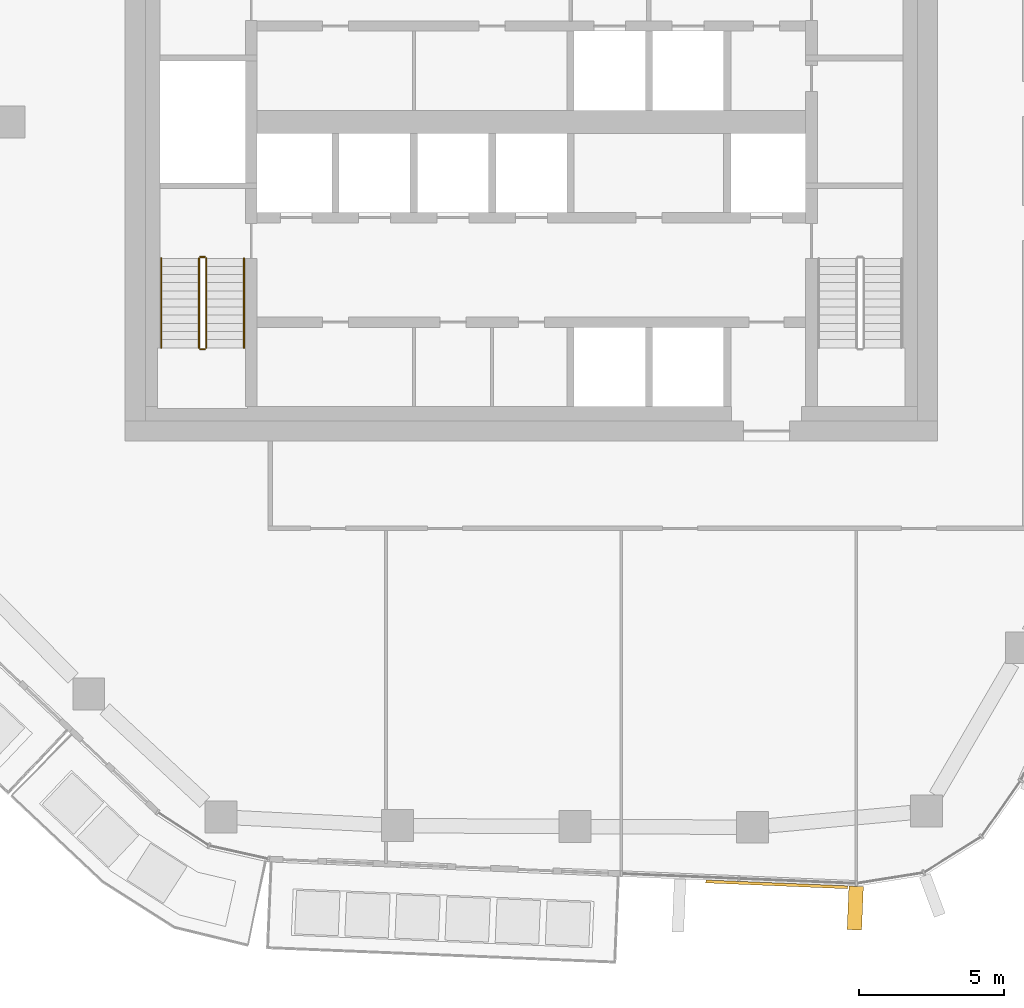
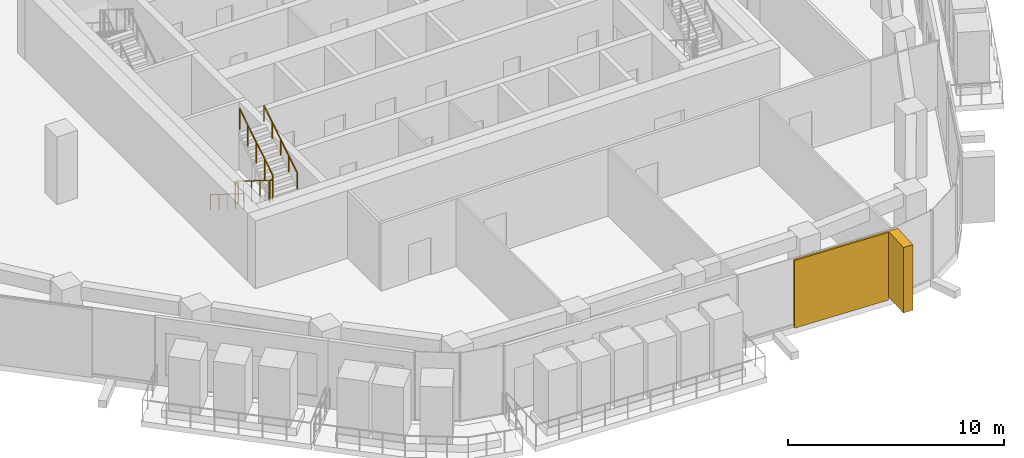
# One storey, part 16 of 20: 6 railings, 2 coverings, 1 element without a shape of its own.
"""IFC4 building model written with IfcOpenShell, lengths in metres."""

from ifc_helpers import new_model, si_unit, direction, frame, origin, origin_2d, place, context, subcontext, project, spatial, rectangle, circle, extrude, material, layer, layer_set, material_profile, profile_set, type_object, element, aggregate, save


model = new_model("IFC4")

# Units and contexts
model_context = context("Model", 3, precision=1e-05, world=origin(), true_north=direction((0.0, 1.0)))
body_context = subcontext(model_context, "Body", "Model", "MODEL_VIEW")
ifc_project = project(units=[si_unit("LENGTHUNIT", "METRE"), si_unit("AREAUNIT", "SQUARE_METRE"), si_unit("VOLUMEUNIT", "CUBIC_METRE"), si_unit("PLANEANGLEUNIT", "RADIAN"), si_unit("MASSUNIT", "GRAM", prefix="KILO")], contexts=[model_context])

# Site, building, storey
site_placement = place(None, origin())
site = spatial("IfcSite", under=ifc_project, at=site_placement, CompositionType="ELEMENT")
building_placement = place(site_placement, origin())
building = spatial("IfcBuilding", under=site, at=building_placement, Name="Dongbaek Canopy Tower", CompositionType="ELEMENT")
storey_placement = place(building_placement, frame((0.0, 0.0, 245.39990234375)))
storey = spatial("IfcBuildingStorey", under=building, at=storey_placement, Name="L51", CompositionType="ELEMENT", Elevation=245.39990234375)

# Curtain wall, coverings
ifc_material_1 = material(Name="Aluminium 6063-T6 pale anodised", Category="aluminium")
ifc_layer_1 = layer(ifc_material_1, 0.199951171875)
ifc_layer_set_1 = layer_set([ifc_layer_1], Name="CW-1 unitised tower curtain wall")
curtain_wall_type = type_object("IfcCurtainWallType", Name="CW-1 unitised tower curtain wall", PredefinedType="NOTDEFINED", material=ifc_layer_set_1)
curtain_wall_placement = place(storey_placement, origin())
curtain_wall = element("IfcCurtainWall", 1, at=curtain_wall_placement, inside=storey, type_object=curtain_wall_type, Name="CW-1 curtain wall F4.1", PredefinedType="NOTDEFINED")
ifc_material_2 = material(Name="Perforated aluminium 6063-T6 pale metal screen", Category="aluminium")
ifc_layer_2 = layer(ifc_material_2, 0.10009765625)
ifc_layer_set_2 = layer_set([ifc_layer_2], Name="Facet screen FS1 100 pale metal")
covering_type_1 = type_object("IfcCoveringType", Name="Facet screen FS1 100 pale metal", PredefinedType="CLADDING", material=ifc_layer_set_2)
covering_1_placement = place(storey_placement, frame((8.45361328125, -26.267578125, 0.0), z_axis=(0.0, 0.0, 1.0), x_axis=(0.999139269991, -0.041481552066, 0.0)))
covering_1 = element("IfcCovering", 2, at=covering_1_placement, type_object=covering_type_1, Name="Facet screen L51 F4", PredefinedType="CLADDING", context=body_context, shape_type="SweptSolid", body=[
    extrude(rectangle(XDim=4.893798828125, YDim=0.10009765625, at=origin_2d()), origin(), (0.0, 0.0, 1.0), 3.820068359375),
])
ifc_material_3 = material(Name="Aluminium 6063-T6 pale metal fin", Category="aluminium")
ifc_material_profile = material_profile(ifc_material_3, rectangle(XDim=1.5, YDim=0.5, at=origin_2d()), Name="Fin FN1 500 x 1500 pale metal")
ifc_profile_set = profile_set([ifc_material_profile], Name="Aluminium 6063-T6 pale metal fin")
covering_type_2 = type_object("IfcCoveringType", Name="Fin FN1 500 x 1500 pale metal", PredefinedType="CLADDING", material=ifc_profile_set)
covering_2_placement = place(storey_placement, frame((11.158935546875, -27.08447265625, 0.1201171875), z_axis=(0.0, 0.0, 1.0), x_axis=(-0.041481315027, -0.999139279832, 0.0)))
covering_2 = element("IfcCovering", 3, at=covering_2_placement, type_object=covering_type_2, Name="Fin F4.1.3", PredefinedType="CLADDING", context=body_context, shape_type="SweptSolid", body=[
    extrude(rectangle(XDim=1.5, YDim=0.5, at=origin_2d()), origin(), (0.0, 0.0, 1.0), 3.699951171875),
])
aggregate(curtain_wall, [covering_2, covering_1])

# Railings
ifc_material_4 = material(Name="Stainless steel tube and balusters", Category="steel")
railing_type_1 = type_object("IfcRailingType", Name="Stair guard 1200", PredefinedType="GUARDRAIL", material=ifc_material_4)
railing_1_placement = place(storey_placement, frame((-11.449951171875, -4.699951171875, 0.175048828125)))
element("IfcRailing", 4, at=railing_1_placement, inside=storey, type_object=railing_type_1, Name="L51 ST-D stair guard 1", PredefinedType="GUARDRAIL", context=body_context, shape_type="SweptSolid", body=[
    extrude(circle(Radius=0.02392578125, at=origin_2d()), frame((0.0, 0.0, 1.17578125), z_axis=(0.0, -0.847998304005, 0.529998940003), x_axis=(1.0, 0.0, 0.0)), (0.0, 0.0, 1.0), 3.632080078125),
    extrude(circle(Radius=0.02099609375, at=origin_2d()), origin(), (0.0, 0.0, 1.0), 1.15185546875),
    extrude(circle(Radius=0.02099609375, at=origin_2d()), frame((0.0, -0.77001953125, 0.481201171875)), (0.0, 0.0, 1.0), 1.15185546875),
    extrude(circle(Radius=0.02099609375, at=origin_2d()), frame((0.0, -1.5400390625, 0.96240234375)), (0.0, 0.0, 1.0), 1.15185546875),
    extrude(circle(Radius=0.02099609375, at=origin_2d()), frame((0.0, -2.31005859375, 1.44384765625)), (0.0, 0.0, 1.0), 1.15185546875),
    extrude(circle(Radius=0.02099609375, at=origin_2d()), frame((0.0, -3.080078125, 1.925048828125)), (0.0, 0.0, 1.0), 1.15185546875),
])
railing_2_placement = place(storey_placement, frame((-11.39990234375, -7.830078125, 2.10009765625)))
element("IfcRailing", 5, at=railing_2_placement, inside=storey, type_object=railing_type_1, Name="L51 ST-D stair guard 2", PredefinedType="GUARDRAIL", context=body_context, shape_type="SweptSolid", body=[
    extrude(circle(Radius=0.02392578125, at=origin_2d()), frame((0.0, 0.0, 1.17578125), z_axis=(1.0, 0.0, 0.0), x_axis=(0.0, 1.0, 0.0)), (0.0, 0.0, 1.0), 0.14990234375),
    extrude(circle(Radius=0.02099609375, at=origin_2d()), origin(), (0.0, 0.0, 1.0), 1.15185546875),
    extrude(circle(Radius=0.02099609375, at=origin_2d()), frame((0.14990234375, 0.0, 0.0)), (0.0, 0.0, 1.0), 1.15185546875),
])
railing_3_placement = place(storey_placement, frame((-11.199951171875, -7.780029296875, 2.275146484375)))
element("IfcRailing", 6, at=railing_3_placement, inside=storey, type_object=railing_type_1, Name="L51 ST-D stair guard 3", PredefinedType="GUARDRAIL", context=body_context, shape_type="SweptSolid", body=[
    extrude(circle(Radius=0.02392578125, at=origin_2d()), frame((0.0, 0.0, 1.17578125), z_axis=(0.0, 0.847998304005, 0.529998940003), x_axis=(-1.0, 0.0, 0.0)), (0.0, 0.0, 1.0), 3.632080078125),
    extrude(circle(Radius=0.02099609375, at=origin_2d()), origin(), (0.0, 0.0, 1.0), 1.15185546875),
    extrude(circle(Radius=0.02099609375, at=origin_2d()), frame((0.0, 0.77001953125, 0.481201171875)), (0.0, 0.0, 1.0), 1.15185546875),
    extrude(circle(Radius=0.02099609375, at=origin_2d()), frame((0.0, 1.5400390625, 0.96240234375)), (0.0, 0.0, 1.0), 1.15185546875),
    extrude(circle(Radius=0.02099609375, at=origin_2d()), frame((0.0, 2.31005859375, 1.44384765625)), (0.0, 0.0, 1.0), 1.15185546875),
    extrude(circle(Radius=0.02099609375, at=origin_2d()), frame((0.0, 3.080078125, 1.925048828125)), (0.0, 0.0, 1.0), 1.15185546875),
])
railing_4_placement = place(storey_placement, frame((-11.39990234375, -4.64990234375, 0.0)))
element("IfcRailing", 7, at=railing_4_placement, inside=storey, type_object=railing_type_1, Name="L51 ST-D stair guard 4", PredefinedType="GUARDRAIL", context=body_context, shape_type="SweptSolid", body=[
    extrude(circle(Radius=0.02392578125, at=origin_2d()), frame((0.0, 0.0, 1.17578125), z_axis=(1.0, 0.0, 0.0), x_axis=(0.0, 1.0, 0.0)), (0.0, 0.0, 1.0), 0.14990234375),
    extrude(circle(Radius=0.02099609375, at=origin_2d()), origin(), (0.0, 0.0, 1.0), 1.15185546875),
    extrude(circle(Radius=0.02099609375, at=origin_2d()), frame((0.14990234375, 0.0, 0.0)), (0.0, 0.0, 1.0), 1.15185546875),
])
ifc_material_5 = material(Name="Stainless steel tube", Category="steel")
railing_type_2 = type_object("IfcRailingType", Name="Stair handrail 900", PredefinedType="HANDRAIL", material=ifc_material_5)
railing_5_placement = place(storey_placement, frame((-12.75, -4.699951171875, 0.175048828125)))
element("IfcRailing", 8, at=railing_5_placement, inside=storey, type_object=railing_type_2, Name="L51 ST-D stair handrail 1", PredefinedType="HANDRAIL", context=body_context, shape_type="SweptSolid", body=[
    extrude(circle(Radius=0.02392578125, at=origin_2d()), frame((0.0, 0.0, 0.8759765625), z_axis=(0.0, -0.847998304005, 0.529998940003), x_axis=(1.0, 0.0, 0.0)), (0.0, 0.0, 1.0), 3.632080078125),
    extrude(circle(Radius=0.02099609375, at=origin_2d()), origin(), (0.0, 0.0, 1.0), 0.851806640625),
    extrude(circle(Radius=0.02099609375, at=origin_2d()), frame((0.0, -0.77001953125, 0.481201171875)), (0.0, 0.0, 1.0), 0.851806640625),
    extrude(circle(Radius=0.02099609375, at=origin_2d()), frame((0.0, -1.5400390625, 0.96240234375)), (0.0, 0.0, 1.0), 0.851806640625),
    extrude(circle(Radius=0.02099609375, at=origin_2d()), frame((0.0, -2.31005859375, 1.44384765625)), (0.0, 0.0, 1.0), 0.851806640625),
    extrude(circle(Radius=0.02099609375, at=origin_2d()), frame((0.0, -3.080078125, 1.925048828125)), (0.0, 0.0, 1.0), 0.851806640625),
])
railing_6_placement = place(storey_placement, frame((-9.89990234375, -7.780029296875, 2.275146484375)))
element("IfcRailing", 9, at=railing_6_placement, inside=storey, type_object=railing_type_2, Name="L51 ST-D stair handrail 2", PredefinedType="HANDRAIL", context=body_context, shape_type="SweptSolid", body=[
    extrude(circle(Radius=0.02392578125, at=origin_2d()), frame((0.0, 0.0, 0.8759765625), z_axis=(0.0, 0.847998304005, 0.529998940003), x_axis=(-1.0, 0.0, 0.0)), (0.0, 0.0, 1.0), 3.632080078125),
    extrude(circle(Radius=0.02099609375, at=origin_2d()), origin(), (0.0, 0.0, 1.0), 0.851806640625),
    extrude(circle(Radius=0.02099609375, at=origin_2d()), frame((0.0, 0.77001953125, 0.481201171875)), (0.0, 0.0, 1.0), 0.851806640625),
    extrude(circle(Radius=0.02099609375, at=origin_2d()), frame((0.0, 1.5400390625, 0.96240234375)), (0.0, 0.0, 1.0), 0.851806640625),
    extrude(circle(Radius=0.02099609375, at=origin_2d()), frame((0.0, 2.31005859375, 1.44384765625)), (0.0, 0.0, 1.0), 0.851806640625),
    extrude(circle(Radius=0.02099609375, at=origin_2d()), frame((0.0, 3.080078125, 1.925048828125)), (0.0, 0.0, 1.0), 0.851806640625),
])

save(model, "model.ifc")
